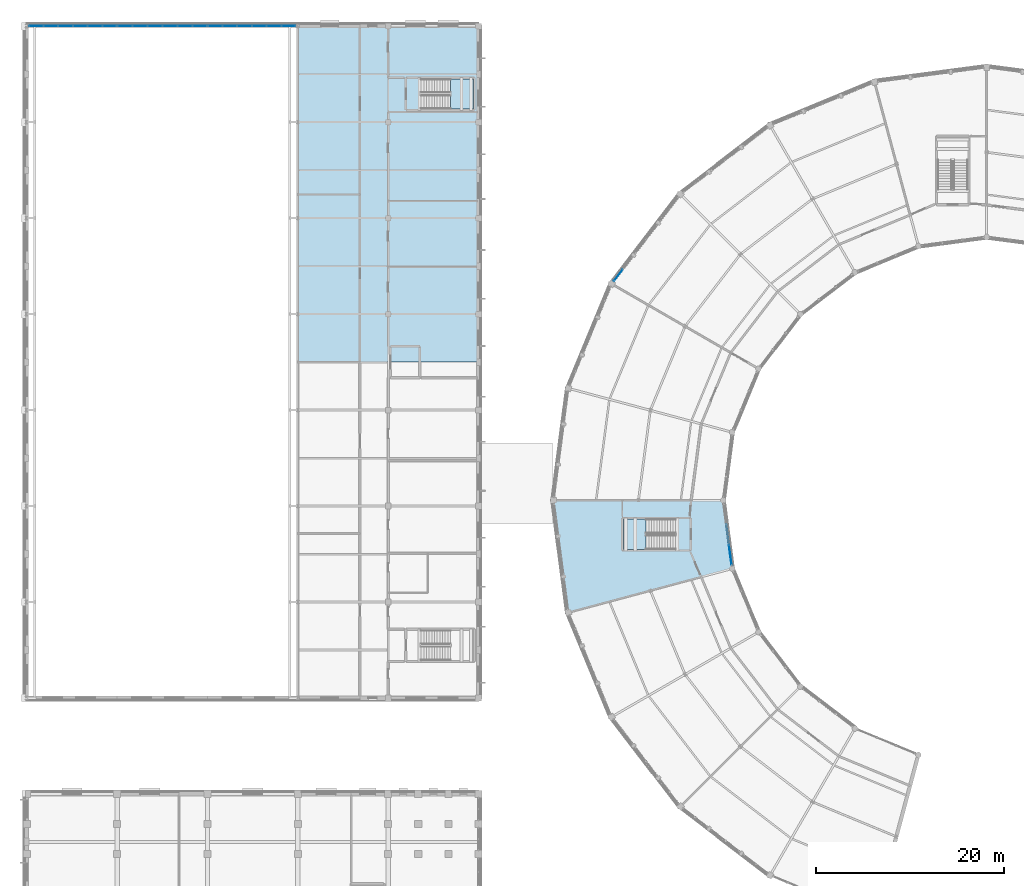
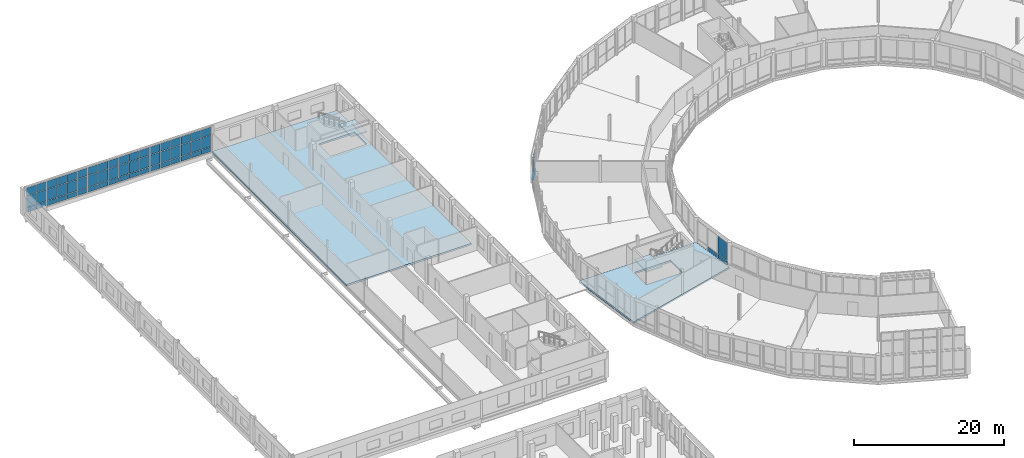
# One storey, part 128 of 170: 59 plates, 4 slabs, 7 elements without a shape of their own.
"""IFC4 building model written with IfcOpenShell, lengths in metres."""

from ifc_helpers import new_model, si_unit, direction, frame, origin, origin_2d, place, context, subcontext, project, spatial, polyline, rectangle, outline, extrude, material, layer, layer_set, type_object, element, aggregate, save


model = new_model("IFC4")

# Units and contexts
model_context = context("Model", 3, precision=1e-05, world=origin(), true_north=direction((0.0, 1.0)))
body_context = subcontext(model_context, "Body", "Model", "MODEL_VIEW")
ifc_project = project(units=[si_unit("LENGTHUNIT", "METRE"), si_unit("AREAUNIT", "SQUARE_METRE"), si_unit("VOLUMEUNIT", "CUBIC_METRE"), si_unit("PLANEANGLEUNIT", "RADIAN"), si_unit("MASSUNIT", "GRAM", prefix="KILO")], contexts=[model_context])

# Site, building, storey
site_placement = place(None, origin())
site = spatial("IfcSite", under=ifc_project, at=site_placement, CompositionType="ELEMENT")
building_placement = place(site_placement, origin())
building = spatial("IfcBuilding", under=site, at=building_placement, Name="Vondelvale Polytechnic", CompositionType="ELEMENT")
storey_placement = place(building_placement, frame((0.0, 0.0, 5.39990234375)))
storey = spatial("IfcBuildingStorey", under=building, at=storey_placement, Name="L01", CompositionType="ELEMENT", Elevation=5.39990234375)

# Curtain wall, plates
ifc_material_1 = material(Name="Anodised extruded aluminium 6063-T6", Category="aluminium")
curtain_wall_type_1 = type_object("IfcCurtainWallType", Name="CW-STUDIO-NORTH", PredefinedType="NOTDEFINED", material=ifc_material_1)
curtain_wall_1_placement = place(storey_placement, origin())
curtain_wall_1 = element("IfcCurtainWall", 1, at=curtain_wall_1_placement, inside=storey, type_object=curtain_wall_type_1, Name="L01 architectural curtain wall CW-01-001", PredefinedType="NOTDEFINED")
ifc_material_2 = material(Name="Double-glazed low-E insulated architectural glass", Category="glass")
ifc_layer_1 = layer(ifc_material_2, 0.028076171875)
ifc_layer_set_1 = layer_set([ifc_layer_1], Name="CW-PANEL-GLAZED")
plate_type_1 = type_object("IfcPlateType", Name="CW-PANEL-GLAZED", PredefinedType="CURTAIN_PANEL", material=ifc_layer_set_1)
plate_1_placement = place(storey_placement, frame((0.992431640625, 122.39990234375, 0.8798828125), z_axis=(0.0, 0.0, 1.0), x_axis=(1.0, 0.0, 0.0)))
plate_1 = element("IfcPlate", 2, at=plate_1_placement, type_object=plate_type_1, Name="CW-01-001 panel 1.2", PredefinedType="CURTAIN_PANEL", context=body_context, shape_type="SweptSolid", body=[
    extrude(rectangle(XDim=1.4677734375, YDim=0.028076171875, at=origin_2d()), origin(), (0.0, 0.0, 1.0), 1.840087890625),
])
plate_2_placement = place(storey_placement, frame((0.992431640625, 122.39990234375, 2.7802734375), z_axis=(0.0, 0.0, 1.0), x_axis=(1.0, 0.0, 0.0)))
plate_2 = element("IfcPlate", 3, at=plate_2_placement, type_object=plate_type_1, Name="CW-01-001 panel 1.3", PredefinedType="CURTAIN_PANEL", context=body_context, shape_type="SweptSolid", body=[
    extrude(rectangle(XDim=1.4677734375, YDim=0.028076171875, at=origin_2d()), origin(), (0.0, 0.0, 1.0), 1.260009765625),
])
plate_3_placement = place(storey_placement, frame((2.541259765625, 122.39990234375, 0.8798828125), z_axis=(0.0, 0.0, 1.0), x_axis=(1.0, 0.0, 0.0)))
plate_3 = element("IfcPlate", 4, at=plate_3_placement, type_object=plate_type_1, Name="CW-01-001 panel 2.2", PredefinedType="CURTAIN_PANEL", context=body_context, shape_type="SweptSolid", body=[
    extrude(rectangle(XDim=1.500244140625, YDim=0.028076171875, at=origin_2d()), origin(), (0.0, 0.0, 1.0), 1.840087890625),
])
plate_4_placement = place(storey_placement, frame((2.541259765625, 122.39990234375, 2.7802734375), z_axis=(0.0, 0.0, 1.0), x_axis=(1.0, 0.0, 0.0)))
plate_4 = element("IfcPlate", 5, at=plate_4_placement, type_object=plate_type_1, Name="CW-01-001 panel 2.3", PredefinedType="CURTAIN_PANEL", context=body_context, shape_type="SweptSolid", body=[
    extrude(rectangle(XDim=1.500244140625, YDim=0.028076171875, at=origin_2d()), origin(), (0.0, 0.0, 1.0), 1.260009765625),
])
plate_5_placement = place(storey_placement, frame((4.106689453125, 122.39990234375, 0.8798828125), z_axis=(0.0, 0.0, 1.0), x_axis=(1.0, 0.0, 0.0)))
plate_5 = element("IfcPlate", 6, at=plate_5_placement, type_object=plate_type_1, Name="CW-01-001 panel 3.2", PredefinedType="CURTAIN_PANEL", context=body_context, shape_type="SweptSolid", body=[
    extrude(rectangle(XDim=1.500244140625, YDim=0.028076171875, at=origin_2d()), origin(), (0.0, 0.0, 1.0), 1.840087890625),
])
plate_6_placement = place(storey_placement, frame((4.106689453125, 122.39990234375, 2.7802734375), z_axis=(0.0, 0.0, 1.0), x_axis=(1.0, 0.0, 0.0)))
plate_6 = element("IfcPlate", 7, at=plate_6_placement, type_object=plate_type_1, Name="CW-01-001 panel 3.3", PredefinedType="CURTAIN_PANEL", context=body_context, shape_type="SweptSolid", body=[
    extrude(rectangle(XDim=1.500244140625, YDim=0.028076171875, at=origin_2d()), origin(), (0.0, 0.0, 1.0), 1.260009765625),
])
plate_7_placement = place(storey_placement, frame((5.671875, 122.39990234375, 0.8798828125), z_axis=(0.0, 0.0, 1.0), x_axis=(1.0, 0.0, 0.0)))
plate_7 = element("IfcPlate", 8, at=plate_7_placement, type_object=plate_type_1, Name="CW-01-001 panel 4.2", PredefinedType="CURTAIN_PANEL", context=body_context, shape_type="SweptSolid", body=[
    extrude(rectangle(XDim=1.500244140625, YDim=0.028076171875, at=origin_2d()), origin(), (0.0, 0.0, 1.0), 1.840087890625),
])
plate_8_placement = place(storey_placement, frame((5.671875, 122.39990234375, 2.7802734375), z_axis=(0.0, 0.0, 1.0), x_axis=(1.0, 0.0, 0.0)))
plate_8 = element("IfcPlate", 9, at=plate_8_placement, type_object=plate_type_1, Name="CW-01-001 panel 4.3", PredefinedType="CURTAIN_PANEL", context=body_context, shape_type="SweptSolid", body=[
    extrude(rectangle(XDim=1.500244140625, YDim=0.028076171875, at=origin_2d()), origin(), (0.0, 0.0, 1.0), 1.260009765625),
])
plate_9_placement = place(storey_placement, frame((7.237060546875, 122.39990234375, 0.8798828125), z_axis=(0.0, 0.0, 1.0), x_axis=(1.0, 0.0, 0.0)))
plate_9 = element("IfcPlate", 10, at=plate_9_placement, type_object=plate_type_1, Name="CW-01-001 panel 5.2", PredefinedType="CURTAIN_PANEL", context=body_context, shape_type="SweptSolid", body=[
    extrude(rectangle(XDim=1.500244140625, YDim=0.028076171875, at=origin_2d()), origin(), (0.0, 0.0, 1.0), 1.840087890625),
])
plate_10_placement = place(storey_placement, frame((7.237060546875, 122.39990234375, 2.7802734375), z_axis=(0.0, 0.0, 1.0), x_axis=(1.0, 0.0, 0.0)))
plate_10 = element("IfcPlate", 11, at=plate_10_placement, type_object=plate_type_1, Name="CW-01-001 panel 5.3", PredefinedType="CURTAIN_PANEL", context=body_context, shape_type="SweptSolid", body=[
    extrude(rectangle(XDim=1.500244140625, YDim=0.028076171875, at=origin_2d()), origin(), (0.0, 0.0, 1.0), 1.260009765625),
])
plate_11_placement = place(storey_placement, frame((8.7861328125, 122.39990234375, 0.8798828125), z_axis=(0.0, 0.0, 1.0), x_axis=(1.0, 0.0, 0.0)))
plate_11 = element("IfcPlate", 12, at=plate_11_placement, type_object=plate_type_1, Name="CW-01-001 panel 6.2", PredefinedType="CURTAIN_PANEL", context=body_context, shape_type="SweptSolid", body=[
    extrude(rectangle(XDim=1.4677734375, YDim=0.028076171875, at=origin_2d()), origin(), (0.0, 0.0, 1.0), 1.840087890625),
])
plate_12_placement = place(storey_placement, frame((8.7861328125, 122.39990234375, 2.7802734375), z_axis=(0.0, 0.0, 1.0), x_axis=(1.0, 0.0, 0.0)))
plate_12 = element("IfcPlate", 13, at=plate_12_placement, type_object=plate_type_1, Name="CW-01-001 panel 6.3", PredefinedType="CURTAIN_PANEL", context=body_context, shape_type="SweptSolid", body=[
    extrude(rectangle(XDim=1.4677734375, YDim=0.028076171875, at=origin_2d()), origin(), (0.0, 0.0, 1.0), 1.260009765625),
])

curtain_wall_2_placement = place(storey_placement, origin())
curtain_wall_2 = element("IfcCurtainWall", 14, at=curtain_wall_2_placement, inside=storey, type_object=curtain_wall_type_1, Name="L01 architectural curtain wall CW-01-002", PredefinedType="NOTDEFINED")
plate_13_placement = place(storey_placement, frame((10.4287109375, 122.39990234375, 0.8798828125), z_axis=(0.0, 0.0, 1.0), x_axis=(1.0, 0.0, 0.0)))
plate_13 = element("IfcPlate", 15, at=plate_13_placement, type_object=plate_type_1, Name="CW-01-002 panel 1.2", PredefinedType="CURTAIN_PANEL", context=body_context, shape_type="SweptSolid", body=[
    extrude(rectangle(XDim=1.49755859375, YDim=0.028076171875, at=origin_2d()), origin(), (0.0, 0.0, 1.0), 1.840087890625),
])
plate_14_placement = place(storey_placement, frame((10.4287109375, 122.39990234375, 2.7802734375), z_axis=(0.0, 0.0, 1.0), x_axis=(1.0, 0.0, 0.0)))
plate_14 = element("IfcPlate", 16, at=plate_14_placement, type_object=plate_type_1, Name="CW-01-002 panel 1.3", PredefinedType="CURTAIN_PANEL", context=body_context, shape_type="SweptSolid", body=[
    extrude(rectangle(XDim=1.49755859375, YDim=0.028076171875, at=origin_2d()), origin(), (0.0, 0.0, 1.0), 1.260009765625),
])
plate_15_placement = place(storey_placement, frame((12.007568359375, 122.39990234375, 0.8798828125), z_axis=(0.0, 0.0, 1.0), x_axis=(1.0, 0.0, 0.0)))
plate_15 = element("IfcPlate", 17, at=plate_15_placement, type_object=plate_type_1, Name="CW-01-002 panel 2.2", PredefinedType="CURTAIN_PANEL", context=body_context, shape_type="SweptSolid", body=[
    extrude(rectangle(XDim=1.530029296875, YDim=0.028076171875, at=origin_2d()), origin(), (0.0, 0.0, 1.0), 1.840087890625),
])
plate_16_placement = place(storey_placement, frame((12.007568359375, 122.39990234375, 2.7802734375), z_axis=(0.0, 0.0, 1.0), x_axis=(1.0, 0.0, 0.0)))
plate_16 = element("IfcPlate", 18, at=plate_16_placement, type_object=plate_type_1, Name="CW-01-002 panel 2.3", PredefinedType="CURTAIN_PANEL", context=body_context, shape_type="SweptSolid", body=[
    extrude(rectangle(XDim=1.530029296875, YDim=0.028076171875, at=origin_2d()), origin(), (0.0, 0.0, 1.0), 1.260009765625),
])
plate_17_placement = place(storey_placement, frame((13.6025390625, 122.39990234375, 0.8798828125), z_axis=(0.0, 0.0, 1.0), x_axis=(1.0, 0.0, 0.0)))
plate_17 = element("IfcPlate", 19, at=plate_17_placement, type_object=plate_type_1, Name="CW-01-002 panel 3.2", PredefinedType="CURTAIN_PANEL", context=body_context, shape_type="SweptSolid", body=[
    extrude(rectangle(XDim=1.530029296875, YDim=0.028076171875, at=origin_2d()), origin(), (0.0, 0.0, 1.0), 1.840087890625),
])
plate_18_placement = place(storey_placement, frame((13.6025390625, 122.39990234375, 2.7802734375), z_axis=(0.0, 0.0, 1.0), x_axis=(1.0, 0.0, 0.0)))
plate_18 = element("IfcPlate", 20, at=plate_18_placement, type_object=plate_type_1, Name="CW-01-002 panel 3.3", PredefinedType="CURTAIN_PANEL", context=body_context, shape_type="SweptSolid", body=[
    extrude(rectangle(XDim=1.530029296875, YDim=0.028076171875, at=origin_2d()), origin(), (0.0, 0.0, 1.0), 1.260009765625),
])
plate_19_placement = place(storey_placement, frame((15.197509765625, 122.39990234375, 0.8798828125), z_axis=(0.0, 0.0, 1.0), x_axis=(1.0, 0.0, 0.0)))
plate_19 = element("IfcPlate", 21, at=plate_19_placement, type_object=plate_type_1, Name="CW-01-002 panel 4.2", PredefinedType="CURTAIN_PANEL", context=body_context, shape_type="SweptSolid", body=[
    extrude(rectangle(XDim=1.530029296875, YDim=0.028076171875, at=origin_2d()), origin(), (0.0, 0.0, 1.0), 1.840087890625),
])
plate_20_placement = place(storey_placement, frame((15.197509765625, 122.39990234375, 2.7802734375), z_axis=(0.0, 0.0, 1.0), x_axis=(1.0, 0.0, 0.0)))
plate_20 = element("IfcPlate", 22, at=plate_20_placement, type_object=plate_type_1, Name="CW-01-002 panel 4.3", PredefinedType="CURTAIN_PANEL", context=body_context, shape_type="SweptSolid", body=[
    extrude(rectangle(XDim=1.530029296875, YDim=0.028076171875, at=origin_2d()), origin(), (0.0, 0.0, 1.0), 1.260009765625),
])
plate_21_placement = place(storey_placement, frame((16.79248046875, 122.39990234375, 0.8798828125), z_axis=(0.0, 0.0, 1.0), x_axis=(1.0, 0.0, 0.0)))
plate_21 = element("IfcPlate", 23, at=plate_21_placement, type_object=plate_type_1, Name="CW-01-002 panel 5.2", PredefinedType="CURTAIN_PANEL", context=body_context, shape_type="SweptSolid", body=[
    extrude(rectangle(XDim=1.530029296875, YDim=0.028076171875, at=origin_2d()), origin(), (0.0, 0.0, 1.0), 1.840087890625),
])
plate_22_placement = place(storey_placement, frame((16.79248046875, 122.39990234375, 2.7802734375), z_axis=(0.0, 0.0, 1.0), x_axis=(1.0, 0.0, 0.0)))
plate_22 = element("IfcPlate", 24, at=plate_22_placement, type_object=plate_type_1, Name="CW-01-002 panel 5.3", PredefinedType="CURTAIN_PANEL", context=body_context, shape_type="SweptSolid", body=[
    extrude(rectangle(XDim=1.530029296875, YDim=0.028076171875, at=origin_2d()), origin(), (0.0, 0.0, 1.0), 1.260009765625),
])
plate_23_placement = place(storey_placement, frame((18.371337890625, 122.39990234375, 0.8798828125), z_axis=(0.0, 0.0, 1.0), x_axis=(1.0, 0.0, 0.0)))
plate_23 = element("IfcPlate", 25, at=plate_23_placement, type_object=plate_type_1, Name="CW-01-002 panel 6.2", PredefinedType="CURTAIN_PANEL", context=body_context, shape_type="SweptSolid", body=[
    extrude(rectangle(XDim=1.49755859375, YDim=0.028076171875, at=origin_2d()), origin(), (0.0, 0.0, 1.0), 1.840087890625),
])
plate_24_placement = place(storey_placement, frame((18.371337890625, 122.39990234375, 2.7802734375), z_axis=(0.0, 0.0, 1.0), x_axis=(1.0, 0.0, 0.0)))
plate_24 = element("IfcPlate", 26, at=plate_24_placement, type_object=plate_type_1, Name="CW-01-002 panel 6.3", PredefinedType="CURTAIN_PANEL", context=body_context, shape_type="SweptSolid", body=[
    extrude(rectangle(XDim=1.49755859375, YDim=0.028076171875, at=origin_2d()), origin(), (0.0, 0.0, 1.0), 1.260009765625),
])

curtain_wall_3_placement = place(storey_placement, origin())
curtain_wall_3 = element("IfcCurtainWall", 27, at=curtain_wall_3_placement, inside=storey, type_object=curtain_wall_type_1, Name="L01 architectural curtain wall CW-01-003", PredefinedType="NOTDEFINED")
plate_25_placement = place(storey_placement, frame((20.013916015625, 122.39990234375, 0.8798828125), z_axis=(0.0, 0.0, 1.0), x_axis=(1.0, 0.0, 0.0)))
plate_25 = element("IfcPlate", 28, at=plate_25_placement, type_object=plate_type_1, Name="CW-01-003 panel 1.2", PredefinedType="CURTAIN_PANEL", context=body_context, shape_type="SweptSolid", body=[
    extrude(rectangle(XDim=1.4677734375, YDim=0.028076171875, at=origin_2d()), origin(), (0.0, 0.0, 1.0), 1.840087890625),
])
plate_26_placement = place(storey_placement, frame((20.013916015625, 122.39990234375, 2.7802734375), z_axis=(0.0, 0.0, 1.0), x_axis=(1.0, 0.0, 0.0)))
plate_26 = element("IfcPlate", 29, at=plate_26_placement, type_object=plate_type_1, Name="CW-01-003 panel 1.3", PredefinedType="CURTAIN_PANEL", context=body_context, shape_type="SweptSolid", body=[
    extrude(rectangle(XDim=1.4677734375, YDim=0.028076171875, at=origin_2d()), origin(), (0.0, 0.0, 1.0), 1.260009765625),
])
plate_27_placement = place(storey_placement, frame((21.56298828125, 122.39990234375, 0.8798828125), z_axis=(0.0, 0.0, 1.0), x_axis=(1.0, 0.0, 0.0)))
plate_27 = element("IfcPlate", 30, at=plate_27_placement, type_object=plate_type_1, Name="CW-01-003 panel 2.2", PredefinedType="CURTAIN_PANEL", context=body_context, shape_type="SweptSolid", body=[
    extrude(rectangle(XDim=1.500244140625, YDim=0.028076171875, at=origin_2d()), origin(), (0.0, 0.0, 1.0), 1.840087890625),
])
plate_28_placement = place(storey_placement, frame((21.56298828125, 122.39990234375, 2.7802734375), z_axis=(0.0, 0.0, 1.0), x_axis=(1.0, 0.0, 0.0)))
plate_28 = element("IfcPlate", 31, at=plate_28_placement, type_object=plate_type_1, Name="CW-01-003 panel 2.3", PredefinedType="CURTAIN_PANEL", context=body_context, shape_type="SweptSolid", body=[
    extrude(rectangle(XDim=1.500244140625, YDim=0.028076171875, at=origin_2d()), origin(), (0.0, 0.0, 1.0), 1.260009765625),
])
plate_29_placement = place(storey_placement, frame((23.128173828125, 122.39990234375, 0.8798828125), z_axis=(0.0, 0.0, 1.0), x_axis=(1.0, 0.0, 0.0)))
plate_29 = element("IfcPlate", 32, at=plate_29_placement, type_object=plate_type_1, Name="CW-01-003 panel 3.2", PredefinedType="CURTAIN_PANEL", context=body_context, shape_type="SweptSolid", body=[
    extrude(rectangle(XDim=1.500244140625, YDim=0.028076171875, at=origin_2d()), origin(), (0.0, 0.0, 1.0), 1.840087890625),
])
plate_30_placement = place(storey_placement, frame((23.128173828125, 122.39990234375, 2.7802734375), z_axis=(0.0, 0.0, 1.0), x_axis=(1.0, 0.0, 0.0)))
plate_30 = element("IfcPlate", 33, at=plate_30_placement, type_object=plate_type_1, Name="CW-01-003 panel 3.3", PredefinedType="CURTAIN_PANEL", context=body_context, shape_type="SweptSolid", body=[
    extrude(rectangle(XDim=1.500244140625, YDim=0.028076171875, at=origin_2d()), origin(), (0.0, 0.0, 1.0), 1.260009765625),
])
plate_31_placement = place(storey_placement, frame((24.693359375, 122.39990234375, 0.8798828125), z_axis=(0.0, 0.0, 1.0), x_axis=(1.0, 0.0, 0.0)))
plate_31 = element("IfcPlate", 34, at=plate_31_placement, type_object=plate_type_1, Name="CW-01-003 panel 4.2", PredefinedType="CURTAIN_PANEL", context=body_context, shape_type="SweptSolid", body=[
    extrude(rectangle(XDim=1.500244140625, YDim=0.028076171875, at=origin_2d()), origin(), (0.0, 0.0, 1.0), 1.840087890625),
])
plate_32_placement = place(storey_placement, frame((24.693359375, 122.39990234375, 2.7802734375), z_axis=(0.0, 0.0, 1.0), x_axis=(1.0, 0.0, 0.0)))
plate_32 = element("IfcPlate", 35, at=plate_32_placement, type_object=plate_type_1, Name="CW-01-003 panel 4.3", PredefinedType="CURTAIN_PANEL", context=body_context, shape_type="SweptSolid", body=[
    extrude(rectangle(XDim=1.500244140625, YDim=0.028076171875, at=origin_2d()), origin(), (0.0, 0.0, 1.0), 1.260009765625),
])
plate_33_placement = place(storey_placement, frame((26.258544921875, 122.39990234375, 0.8798828125), z_axis=(0.0, 0.0, 1.0), x_axis=(1.0, 0.0, 0.0)))
plate_33 = element("IfcPlate", 36, at=plate_33_placement, type_object=plate_type_1, Name="CW-01-003 panel 5.2", PredefinedType="CURTAIN_PANEL", context=body_context, shape_type="SweptSolid", body=[
    extrude(rectangle(XDim=1.500244140625, YDim=0.028076171875, at=origin_2d()), origin(), (0.0, 0.0, 1.0), 1.840087890625),
])
plate_34_placement = place(storey_placement, frame((26.258544921875, 122.39990234375, 2.7802734375), z_axis=(0.0, 0.0, 1.0), x_axis=(1.0, 0.0, 0.0)))
plate_34 = element("IfcPlate", 37, at=plate_34_placement, type_object=plate_type_1, Name="CW-01-003 panel 5.3", PredefinedType="CURTAIN_PANEL", context=body_context, shape_type="SweptSolid", body=[
    extrude(rectangle(XDim=1.500244140625, YDim=0.028076171875, at=origin_2d()), origin(), (0.0, 0.0, 1.0), 1.260009765625),
])
plate_35_placement = place(storey_placement, frame((27.8076171875, 122.39990234375, 0.8798828125), z_axis=(0.0, 0.0, 1.0), x_axis=(1.0, 0.0, 0.0)))
plate_35 = element("IfcPlate", 38, at=plate_35_placement, type_object=plate_type_1, Name="CW-01-003 panel 6.2", PredefinedType="CURTAIN_PANEL", context=body_context, shape_type="SweptSolid", body=[
    extrude(rectangle(XDim=1.4677734375, YDim=0.028076171875, at=origin_2d()), origin(), (0.0, 0.0, 1.0), 1.840087890625),
])
plate_36_placement = place(storey_placement, frame((27.8076171875, 122.39990234375, 2.7802734375), z_axis=(0.0, 0.0, 1.0), x_axis=(1.0, 0.0, 0.0)))
plate_36 = element("IfcPlate", 39, at=plate_36_placement, type_object=plate_type_1, Name="CW-01-003 panel 6.3", PredefinedType="CURTAIN_PANEL", context=body_context, shape_type="SweptSolid", body=[
    extrude(rectangle(XDim=1.4677734375, YDim=0.028076171875, at=origin_2d()), origin(), (0.0, 0.0, 1.0), 1.260009765625),
])

# Curtain wall, plate
ifc_material_3 = material(Name="Glulam GL18 structural Tasmanian oak (fb = 42 MPa)", Category="wood")
curtain_wall_type_2 = type_object("IfcCurtainWallType", Name="CW-RING-OUTER", PredefinedType="NOTDEFINED", material=ifc_material_3)
curtain_wall_4_placement = place(storey_placement, origin())
curtain_wall_4 = element("IfcCurtainWall", 40, at=curtain_wall_4_placement, inside=storey, type_object=curtain_wall_type_2, Name="L01 architectural curtain wall CW-04-216", PredefinedType="NOTDEFINED")
plate_37_placement = place(storey_placement, frame((62.87060546875, 95.92236328125, 0.7802734375), z_axis=(0.0, 0.0, 1.0), x_axis=(-0.608786860133, -0.793333825656, 0.0)))
plate_37 = element("IfcPlate", 41, at=plate_37_placement, type_object=plate_type_1, Name="CW-04-216 panel 2.2", PredefinedType="CURTAIN_PANEL", context=body_context, shape_type="SweptSolid", body=[
    extrude(rectangle(XDim=1.530029296875, YDim=0.028076171875, at=origin_2d()), origin(), (0.0, 0.0, 1.0), 2.8798828125),
])

# Curtain wall, plates
curtain_wall_type_3 = type_object("IfcCurtainWallType", Name="CW-RING-CLOISTER", PredefinedType="NOTDEFINED", material=ifc_material_1)
curtain_wall_5_placement = place(storey_placement, origin())
curtain_wall_5 = element("IfcCurtainWall", 42, at=curtain_wall_5_placement, inside=storey, type_object=curtain_wall_type_3, Name="L01 architectural curtain wall CW-03-259", PredefinedType="NOTDEFINED")
plate_38_placement = place(storey_placement, frame((74.76416015625, 66.195556640625, 0.78271484375), z_axis=(0.0, 0.0, 1.0), x_axis=(0.130528007165, -0.99144462243, 0.0)))
plate_38 = element("IfcPlate", 43, at=plate_38_placement, type_object=plate_type_1, Name="CW-03-259 panel 3.2", PredefinedType="CURTAIN_PANEL", context=body_context, shape_type="SweptSolid", body=[
    extrude(rectangle(XDim=2.1123046875, YDim=0.028076171875, at=origin_2d()), origin(), (0.0, 0.0, 1.0), 2.902587890625),
])
ifc_material_4 = material(Name="Engineered Tasmanian oak studio and bridge joinery")
ifc_layer_2 = layer(ifc_material_4, 0.0419921875)
ifc_layer_set_2 = layer_set([ifc_layer_2], Name="CW-PANEL-OAK")
plate_type_2 = type_object("IfcPlateType", Name="CW-PANEL-OAK", PredefinedType="CURTAIN_PANEL", material=ifc_layer_set_2)
plate_39_placement = place(storey_placement, frame((74.47705078125, 68.37646484375, 0.06494140625), z_axis=(0.0, 0.0, 1.0), x_axis=(0.130528007165, -0.99144462243, 0.0)))
plate_39 = element("IfcPlate", 44, at=plate_39_placement, type_object=plate_type_2, Name="CW-03-259 panel 2.1", PredefinedType="CURTAIN_PANEL", context=body_context, shape_type="SweptSolid", body=[
    extrude(rectangle(XDim=2.1474609375, YDim=0.0419921875, at=origin_2d()), origin(), (0.0, 0.0, 1.0), 0.652587890625),
])
plate_40_placement = place(storey_placement, frame((74.76416015625, 66.195556640625, 0.06494140625), z_axis=(0.0, 0.0, 1.0), x_axis=(0.130528007165, -0.99144462243, 0.0)))
plate_40 = element("IfcPlate", 45, at=plate_40_placement, type_object=plate_type_2, Name="CW-03-259 panel 3.1", PredefinedType="CURTAIN_PANEL", context=body_context, shape_type="SweptSolid", body=[
    extrude(rectangle(XDim=2.1123046875, YDim=0.0419921875, at=origin_2d()), origin(), (0.0, 0.0, 1.0), 0.652587890625),
])
aggregate(curtain_wall_5, [plate_39, plate_40, plate_38])

# Plate
ifc_material_5 = material(Name="Kiln-fired architectural terracotta", Category="masonry")
ifc_layer_3 = layer(ifc_material_5, 0.035888671875)
ifc_layer_set_3 = layer_set([ifc_layer_3], Name="CW-PANEL-SPANDREL")
plate_type_3 = type_object("IfcPlateType", Name="CW-PANEL-SPANDREL", PredefinedType="CURTAIN_PANEL", material=ifc_layer_set_3)
plate_41_placement = place(storey_placement, frame((0.992431640625, 122.39990234375, 0.06005859375), z_axis=(0.0, 0.0, 1.0), x_axis=(1.0, 0.0, 0.0)))
plate_41 = element("IfcPlate", 46, at=plate_41_placement, type_object=plate_type_3, Name="CW-01-001 panel 1.1", PredefinedType="CURTAIN_PANEL", context=body_context, shape_type="SweptSolid", body=[
    extrude(rectangle(XDim=1.4677734375, YDim=0.035888671875, at=origin_2d()), origin(), (0.0, 0.0, 1.0), 0.760009765625),
])

plate_42_placement = place(storey_placement, frame((2.541259765625, 122.39990234375, 0.06005859375), z_axis=(0.0, 0.0, 1.0), x_axis=(1.0, 0.0, 0.0)))
plate_42 = element("IfcPlate", 47, at=plate_42_placement, type_object=plate_type_3, Name="CW-01-001 panel 2.1", PredefinedType="CURTAIN_PANEL", context=body_context, shape_type="SweptSolid", body=[
    extrude(rectangle(XDim=1.500244140625, YDim=0.035888671875, at=origin_2d()), origin(), (0.0, 0.0, 1.0), 0.760009765625),
])

plate_43_placement = place(storey_placement, frame((4.106689453125, 122.39990234375, 0.06005859375), z_axis=(0.0, 0.0, 1.0), x_axis=(1.0, 0.0, 0.0)))
plate_43 = element("IfcPlate", 48, at=plate_43_placement, type_object=plate_type_3, Name="CW-01-001 panel 3.1", PredefinedType="CURTAIN_PANEL", context=body_context, shape_type="SweptSolid", body=[
    extrude(rectangle(XDim=1.500244140625, YDim=0.035888671875, at=origin_2d()), origin(), (0.0, 0.0, 1.0), 0.760009765625),
])

plate_44_placement = place(storey_placement, frame((5.671875, 122.39990234375, 0.06005859375), z_axis=(0.0, 0.0, 1.0), x_axis=(1.0, 0.0, 0.0)))
plate_44 = element("IfcPlate", 49, at=plate_44_placement, type_object=plate_type_3, Name="CW-01-001 panel 4.1", PredefinedType="CURTAIN_PANEL", context=body_context, shape_type="SweptSolid", body=[
    extrude(rectangle(XDim=1.500244140625, YDim=0.035888671875, at=origin_2d()), origin(), (0.0, 0.0, 1.0), 0.760009765625),
])

plate_45_placement = place(storey_placement, frame((7.237060546875, 122.39990234375, 0.06005859375), z_axis=(0.0, 0.0, 1.0), x_axis=(1.0, 0.0, 0.0)))
plate_45 = element("IfcPlate", 50, at=plate_45_placement, type_object=plate_type_3, Name="CW-01-001 panel 5.1", PredefinedType="CURTAIN_PANEL", context=body_context, shape_type="SweptSolid", body=[
    extrude(rectangle(XDim=1.500244140625, YDim=0.035888671875, at=origin_2d()), origin(), (0.0, 0.0, 1.0), 0.760009765625),
])

plate_46_placement = place(storey_placement, frame((8.7861328125, 122.39990234375, 0.06005859375), z_axis=(0.0, 0.0, 1.0), x_axis=(1.0, 0.0, 0.0)))
plate_46 = element("IfcPlate", 51, at=plate_46_placement, type_object=plate_type_3, Name="CW-01-001 panel 6.1", PredefinedType="CURTAIN_PANEL", context=body_context, shape_type="SweptSolid", body=[
    extrude(rectangle(XDim=1.4677734375, YDim=0.035888671875, at=origin_2d()), origin(), (0.0, 0.0, 1.0), 0.760009765625),
])

aggregate(curtain_wall_1, [plate_41, plate_1, plate_2, plate_42, plate_3, plate_4, plate_43, plate_5, plate_6, plate_44, plate_7, plate_8, plate_45, plate_9, plate_10, plate_46, plate_11, plate_12])

plate_47_placement = place(storey_placement, frame((10.4287109375, 122.39990234375, 0.06005859375), z_axis=(0.0, 0.0, 1.0), x_axis=(1.0, 0.0, 0.0)))
plate_47 = element("IfcPlate", 52, at=plate_47_placement, type_object=plate_type_3, Name="CW-01-002 panel 1.1", PredefinedType="CURTAIN_PANEL", context=body_context, shape_type="SweptSolid", body=[
    extrude(rectangle(XDim=1.49755859375, YDim=0.035888671875, at=origin_2d()), origin(), (0.0, 0.0, 1.0), 0.760009765625),
])

plate_48_placement = place(storey_placement, frame((12.007568359375, 122.39990234375, 0.06005859375), z_axis=(0.0, 0.0, 1.0), x_axis=(1.0, 0.0, 0.0)))
plate_48 = element("IfcPlate", 53, at=plate_48_placement, type_object=plate_type_3, Name="CW-01-002 panel 2.1", PredefinedType="CURTAIN_PANEL", context=body_context, shape_type="SweptSolid", body=[
    extrude(rectangle(XDim=1.530029296875, YDim=0.035888671875, at=origin_2d()), origin(), (0.0, 0.0, 1.0), 0.760009765625),
])

plate_49_placement = place(storey_placement, frame((13.6025390625, 122.39990234375, 0.06005859375), z_axis=(0.0, 0.0, 1.0), x_axis=(1.0, 0.0, 0.0)))
plate_49 = element("IfcPlate", 54, at=plate_49_placement, type_object=plate_type_3, Name="CW-01-002 panel 3.1", PredefinedType="CURTAIN_PANEL", context=body_context, shape_type="SweptSolid", body=[
    extrude(rectangle(XDim=1.530029296875, YDim=0.035888671875, at=origin_2d()), origin(), (0.0, 0.0, 1.0), 0.760009765625),
])

plate_50_placement = place(storey_placement, frame((15.197509765625, 122.39990234375, 0.06005859375), z_axis=(0.0, 0.0, 1.0), x_axis=(1.0, 0.0, 0.0)))
plate_50 = element("IfcPlate", 55, at=plate_50_placement, type_object=plate_type_3, Name="CW-01-002 panel 4.1", PredefinedType="CURTAIN_PANEL", context=body_context, shape_type="SweptSolid", body=[
    extrude(rectangle(XDim=1.530029296875, YDim=0.035888671875, at=origin_2d()), origin(), (0.0, 0.0, 1.0), 0.760009765625),
])

plate_51_placement = place(storey_placement, frame((16.79248046875, 122.39990234375, 0.06005859375), z_axis=(0.0, 0.0, 1.0), x_axis=(1.0, 0.0, 0.0)))
plate_51 = element("IfcPlate", 56, at=plate_51_placement, type_object=plate_type_3, Name="CW-01-002 panel 5.1", PredefinedType="CURTAIN_PANEL", context=body_context, shape_type="SweptSolid", body=[
    extrude(rectangle(XDim=1.530029296875, YDim=0.035888671875, at=origin_2d()), origin(), (0.0, 0.0, 1.0), 0.760009765625),
])

plate_52_placement = place(storey_placement, frame((18.371337890625, 122.39990234375, 0.06005859375), z_axis=(0.0, 0.0, 1.0), x_axis=(1.0, 0.0, 0.0)))
plate_52 = element("IfcPlate", 57, at=plate_52_placement, type_object=plate_type_3, Name="CW-01-002 panel 6.1", PredefinedType="CURTAIN_PANEL", context=body_context, shape_type="SweptSolid", body=[
    extrude(rectangle(XDim=1.49755859375, YDim=0.035888671875, at=origin_2d()), origin(), (0.0, 0.0, 1.0), 0.760009765625),
])

aggregate(curtain_wall_2, [plate_47, plate_13, plate_14, plate_48, plate_15, plate_16, plate_49, plate_17, plate_18, plate_50, plate_19, plate_20, plate_51, plate_21, plate_22, plate_52, plate_23, plate_24])

plate_53_placement = place(storey_placement, frame((20.013916015625, 122.39990234375, 0.06005859375), z_axis=(0.0, 0.0, 1.0), x_axis=(1.0, 0.0, 0.0)))
plate_53 = element("IfcPlate", 58, at=plate_53_placement, type_object=plate_type_3, Name="CW-01-003 panel 1.1", PredefinedType="CURTAIN_PANEL", context=body_context, shape_type="SweptSolid", body=[
    extrude(rectangle(XDim=1.4677734375, YDim=0.035888671875, at=origin_2d()), origin(), (0.0, 0.0, 1.0), 0.760009765625),
])

plate_54_placement = place(storey_placement, frame((21.56298828125, 122.39990234375, 0.06005859375), z_axis=(0.0, 0.0, 1.0), x_axis=(1.0, 0.0, 0.0)))
plate_54 = element("IfcPlate", 59, at=plate_54_placement, type_object=plate_type_3, Name="CW-01-003 panel 2.1", PredefinedType="CURTAIN_PANEL", context=body_context, shape_type="SweptSolid", body=[
    extrude(rectangle(XDim=1.500244140625, YDim=0.035888671875, at=origin_2d()), origin(), (0.0, 0.0, 1.0), 0.760009765625),
])

plate_55_placement = place(storey_placement, frame((23.128173828125, 122.39990234375, 0.06005859375), z_axis=(0.0, 0.0, 1.0), x_axis=(1.0, 0.0, 0.0)))
plate_55 = element("IfcPlate", 60, at=plate_55_placement, type_object=plate_type_3, Name="CW-01-003 panel 3.1", PredefinedType="CURTAIN_PANEL", context=body_context, shape_type="SweptSolid", body=[
    extrude(rectangle(XDim=1.500244140625, YDim=0.035888671875, at=origin_2d()), origin(), (0.0, 0.0, 1.0), 0.760009765625),
])

plate_56_placement = place(storey_placement, frame((24.693359375, 122.39990234375, 0.06005859375), z_axis=(0.0, 0.0, 1.0), x_axis=(1.0, 0.0, 0.0)))
plate_56 = element("IfcPlate", 61, at=plate_56_placement, type_object=plate_type_3, Name="CW-01-003 panel 4.1", PredefinedType="CURTAIN_PANEL", context=body_context, shape_type="SweptSolid", body=[
    extrude(rectangle(XDim=1.500244140625, YDim=0.035888671875, at=origin_2d()), origin(), (0.0, 0.0, 1.0), 0.760009765625),
])

plate_57_placement = place(storey_placement, frame((26.258544921875, 122.39990234375, 0.06005859375), z_axis=(0.0, 0.0, 1.0), x_axis=(1.0, 0.0, 0.0)))
plate_57 = element("IfcPlate", 62, at=plate_57_placement, type_object=plate_type_3, Name="CW-01-003 panel 5.1", PredefinedType="CURTAIN_PANEL", context=body_context, shape_type="SweptSolid", body=[
    extrude(rectangle(XDim=1.500244140625, YDim=0.035888671875, at=origin_2d()), origin(), (0.0, 0.0, 1.0), 0.760009765625),
])

plate_58_placement = place(storey_placement, frame((27.8076171875, 122.39990234375, 0.06005859375), z_axis=(0.0, 0.0, 1.0), x_axis=(1.0, 0.0, 0.0)))
plate_58 = element("IfcPlate", 63, at=plate_58_placement, type_object=plate_type_3, Name="CW-01-003 panel 6.1", PredefinedType="CURTAIN_PANEL", context=body_context, shape_type="SweptSolid", body=[
    extrude(rectangle(XDim=1.4677734375, YDim=0.035888671875, at=origin_2d()), origin(), (0.0, 0.0, 1.0), 0.760009765625),
])

aggregate(curtain_wall_3, [plate_53, plate_25, plate_26, plate_54, plate_27, plate_28, plate_55, plate_29, plate_30, plate_56, plate_31, plate_32, plate_57, plate_33, plate_34, plate_58, plate_35, plate_36])

plate_59_placement = place(storey_placement, frame((62.87060546875, 95.92236328125, 0.06005859375), z_axis=(0.0, 0.0, 1.0), x_axis=(-0.608786860133, -0.793333825656, 0.0)))
plate_59 = element("IfcPlate", 64, at=plate_59_placement, type_object=plate_type_3, Name="CW-04-216 panel 2.1", PredefinedType="CURTAIN_PANEL", context=body_context, shape_type="SweptSolid", body=[
    extrude(rectangle(XDim=1.530029296875, YDim=0.035888671875, at=origin_2d()), origin(), (0.0, 0.0, 1.0), 0.659912109375),
])

aggregate(curtain_wall_4, [plate_59, plate_37])

# Slab
ifc_material_6 = material(Name="Concrete N40 (f'c = 40 MPa)", Category="concrete")
ifc_layer_4 = layer(ifc_material_6, 0.25)
ifc_layer_set_4 = layer_set([ifc_layer_4], Name="SLB-LAB-250")
slab_type_1 = type_object("IfcSlabType", Name="SLB-LAB-250", PredefinedType="FLOOR", material=ifc_layer_set_4)
slab_1_placement = place(storey_placement, frame((0.0, 0.0, -0.27978515625)))
element("IfcSlab", 65, at=slab_1_placement, inside=storey, type_object=slab_type_1, Name="L01 workshop support slab EN", PredefinedType="FLOOR", context=body_context, shape_type="SweptSolid", body=[
    extrude(outline(polyline([(28.800048828125, 86.699951171875), (48.0, 86.699951171875), (48.0, 122.39990234375), (28.800048828125, 122.39990234375), (28.800048828125, 86.699951171875)]), holes=[polyline([(41.89990234375, 113.60009765625), (47.449951171875, 113.60009765625), (47.449951171875, 116.800048828125), (41.89990234375, 116.800048828125), (41.89990234375, 113.60009765625)])]), origin(), (0.0, 0.0, 1.0), 0.27978515625),
])

# Stair, slab
stair_type = type_object("IfcStairType", Name="STR-DOG-1500", PredefinedType="HALF_TURN_STAIR", material=ifc_material_6)
stair_1_placement = place(storey_placement, origin())
stair_1 = element("IfcStair", 66, at=stair_1_placement, inside=storey, type_object=stair_type, Name="L01 ST-02", PredefinedType="HALF_TURN_STAIR")
ifc_layer_5 = layer(ifc_material_6, 0.199951171875)
ifc_layer_set_5 = layer_set([ifc_layer_5], Name="SLB-LANDING-200")
slab_type_2 = type_object("IfcSlabType", Name="SLB-LANDING-200", PredefinedType="LANDING", material=ifc_layer_set_5)
slab_2_placement = place(storey_placement, frame((0.0, 0.0, 1.900146484375)))
slab_2 = element("IfcSlab", 67, at=slab_2_placement, type_object=slab_type_2, Name="ST-02 landing 1", PredefinedType="LANDING", context=body_context, shape_type="SweptSolid", body=[
    extrude(outline(polyline([(45.034912109375, 113.60009765625), (47.449951171875, 113.60009765625), (47.449951171875, 116.800048828125), (45.034912109375, 116.800048828125), (45.034912109375, 113.60009765625)])), origin(), (0.0, 0.0, 1.0), 0.199951171875),
])
aggregate(stair_1, [slab_2])

stair_2_placement = place(storey_placement, origin())
stair_2 = element("IfcStair", 68, at=stair_2_placement, inside=storey, type_object=stair_type, Name="L01 ST-10", PredefinedType="HALF_TURN_STAIR")
slab_3_placement = place(storey_placement, frame((0.0, 0.0, 1.900146484375)))
slab_3 = element("IfcSlab", 69, at=slab_3_placement, type_object=slab_type_2, Name="ST-10 landing 1", PredefinedType="LANDING", context=body_context, shape_type="SweptSolid", body=[
    extrude(outline(polyline([(65.81494140625, 70.0), (63.39990234375, 70.0), (63.39990234375, 66.800048828125), (65.81494140625, 66.800048828125), (65.81494140625, 70.0)])), origin(), (0.0, 0.0, 1.0), 0.199951171875),
])
aggregate(stair_2, [slab_3])

# Slab
ifc_layer_6 = layer(ifc_material_6, 0.280029296875)
ifc_layer_set_6 = layer_set([ifc_layer_6], Name="SLB-LIBRARY-280")
slab_type_3 = type_object("IfcSlabType", Name="SLB-LIBRARY-280", PredefinedType="FLOOR", material=ifc_layer_set_6)
slab_4_placement = place(storey_placement, frame((0.0, 0.0, -0.27978515625)))
element("IfcSlab", 70, at=slab_4_placement, inside=storey, type_object=slab_type_3, Name="L01 circular ring sector 12 floor slab", PredefinedType="FLOOR", context=body_context, shape_type="SweptSolid", body=[
    extrude(outline(polyline([(74.0, 72.0), (56.0, 72.0), (57.5673828125, 60.09423828125), (74.9541015625, 64.753173828125), (74.0, 72.0)]), holes=[polyline([(68.949951171875, 70.0), (63.39990234375, 70.0), (63.39990234375, 66.800048828125), (68.949951171875, 66.800048828125), (68.949951171875, 70.0)])]), origin(), (0.0, 0.0, 1.0), 0.27978515625),
])

save(model, "model.ifc")
